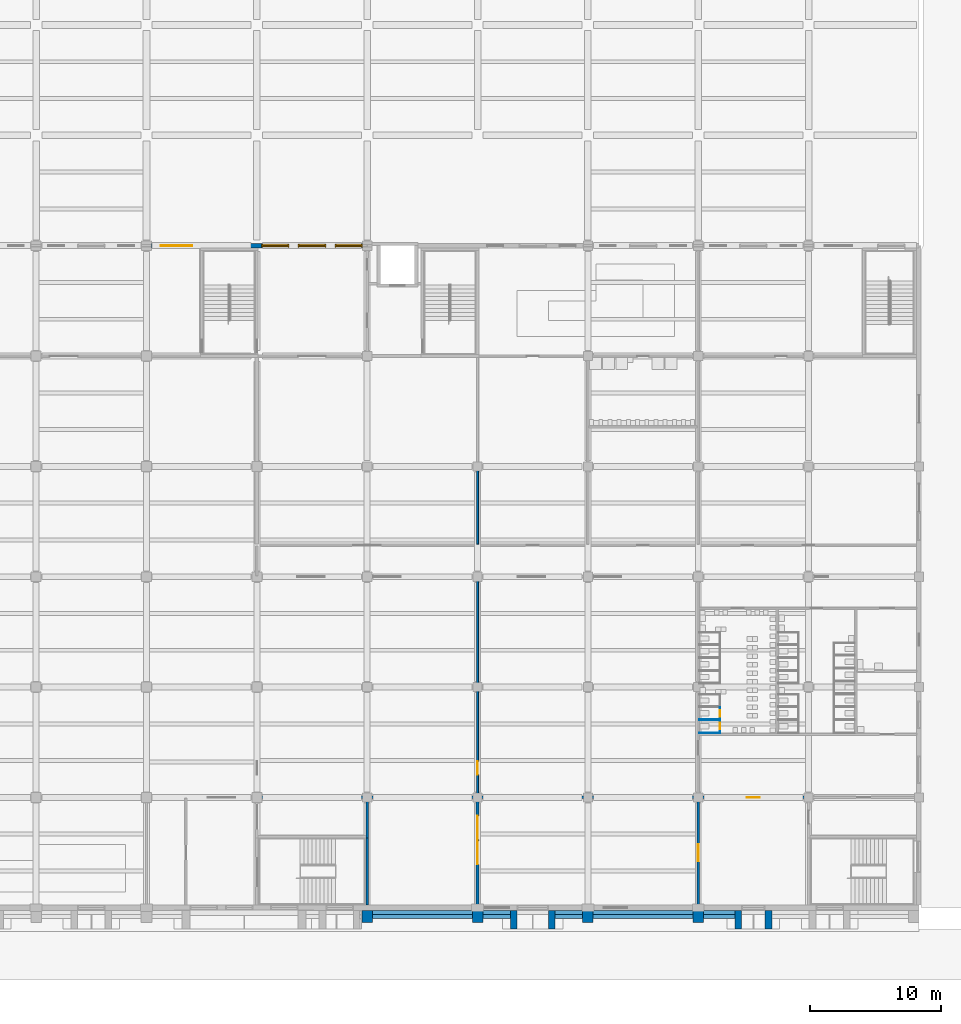
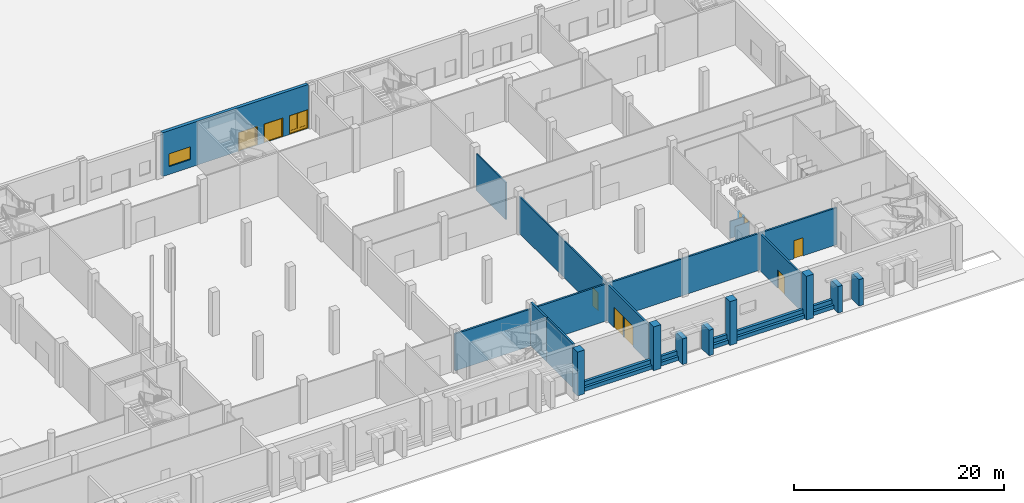
# One storey, part 33 of 74: 31 walls, 10 doors, 1 window, 11 openings.
"""IFC4 building model written with IfcOpenShell, lengths in metres."""

from ifc_helpers import new_model, si_unit, direction, frame, frame_2d, origin, place, context, subcontext, project, spatial, rectangle, extrude, material, layer, layer_set, type_object, element, fill, save


model = new_model("IFC4")

# Units and contexts
model_context = context("Model", 3, precision=1e-05, world=origin(), true_north=direction((0.0, 1.0)))
body_context = subcontext(model_context, "Body", "Model", "MODEL_VIEW")
ifc_project = project(units=[si_unit("LENGTHUNIT", "METRE"), si_unit("AREAUNIT", "SQUARE_METRE"), si_unit("VOLUMEUNIT", "CUBIC_METRE"), si_unit("PLANEANGLEUNIT", "RADIAN"), si_unit("MASSUNIT", "GRAM", prefix="KILO")], contexts=[model_context])

# Site, building, storey
site_placement = place(None, origin())
site = spatial("IfcSite", under=ifc_project, at=site_placement, CompositionType="ELEMENT")
building_placement = place(site_placement, origin())
building = spatial("IfcBuilding", under=site, at=building_placement, Name="Rulbaag Community and Learning Centre", CompositionType="ELEMENT")
storey_placement = place(building_placement, origin())
storey = spatial("IfcBuildingStorey", under=building, at=storey_placement, Name="L00", CompositionType="ELEMENT", Elevation=0.0)

# Walls
ifc_material_1 = material(Name="High pressure laminate", Category="wood")
ifc_layer_1 = layer(ifc_material_1, 0.0400390625)
ifc_layer_set_1 = layer_set([ifc_layer_1], Name="CP-40")
wall_type_1 = type_object("IfcWallType", Name="CP-40", PredefinedType="PARTITIONING", material=ifc_layer_set_1)
for number, where, z_axis, x_axis, name in (
    (1, (151.27490234375, 13.294921875, 0.0), (0.0, 0.0, 1.0), (1.0, 0.0, 0.0), "Cubicle partition"),
    (2, (151.27490234375, 14.2900390625, 0.0), (0.0, 0.0, 1.0), (1.0, 0.0, 0.0), "Cubicle partition"),
):
    element("IfcWall", number, at=place(storey_placement, frame(where, z_axis=z_axis, x_axis=x_axis)), inside=storey, type_object=wall_type_1, Name=name, PredefinedType="PARTITIONING", context=body_context, shape_type="SweptSolid", body=[
        extrude(rectangle(XDim=1.59521484375, YDim=0.0400390625, at=frame_2d((0.797607421875, 0.0))), origin(), (0.0, 0.0, 1.0), 2.0),
    ])

# Wall, opening, door
wall_1_placement = place(storey_placement, frame((152.85009765625, 13.31494140625, 0.0), z_axis=(0.0, 0.0, 1.0), x_axis=(0.0, 1.0, 0.0)))
wall_1 = element("IfcWall", 3, at=wall_1_placement, inside=storey, type_object=wall_type_1, Name="Cubicle partition", PredefinedType="PARTITIONING", context=body_context, shape_type="SweptSolid", body=[
    extrude(rectangle(XDim=0.955078125, YDim=0.0400390625, at=frame_2d((0.4775390625, 0.0))), origin(), (0.0, 0.0, 1.0), 2.0),
])
opening_1_placement = place(wall_1_placement, frame((0.10498046875, 0.0, 0.0)))
opening_1 = element("IfcOpeningElement", 4, at=opening_1_placement, cuts=wall_1, Name="Opening L00-D143", PredefinedType="OPENING", context=body_context, shape_type="SweptSolid", body=[
    extrude(rectangle(XDim=0.800048828125, YDim=2.0, at=frame_2d((0.39990234375, 1.0))), frame((0.0, 0.030029296875, 0.0), z_axis=(0.0, -1.0, 0.0), x_axis=(1.0, 0.0, 0.0)), (0.0, 0.0, 1.0), 0.06005859375),
])
door_type_1 = type_object("IfcDoorType", Name="DC-80", OperationType="SINGLE_SWING_LEFT", PredefinedType="DOOR", material=ifc_material_1)
door_1_placement = place(opening_1_placement, origin())
door_1 = element("IfcDoor", 5, at=door_1_placement, inside=storey, type_object=door_type_1, Name="Cubicle door", OperationType="SINGLE_SWING_LEFT", OverallHeight=2.0, OverallWidth=0.800048828125, PredefinedType="DOOR", context=body_context, shape_type="SweptSolid", body=[
    extrude(rectangle(XDim=0.800048828125, YDim=2.0, at=frame_2d((0.39990234375, 1.0))), frame((0.0, 0.019775390625, 0.0), z_axis=(0.0, -1.0, 0.0), x_axis=(1.0, 0.0, 0.0)), (0.0, 0.0, 1.0), 0.03955078125),
])
fill(opening_1, door_1)

# Wall
wall_2_placement = place(storey_placement, frame((151.27490234375, 14.330078125, 0.0), z_axis=(0.0, 0.0, 1.0), x_axis=(1.0, 0.0, 0.0)))
element("IfcWall", 6, at=wall_2_placement, inside=storey, type_object=wall_type_1, Name="Cubicle partition", PredefinedType="PARTITIONING", context=body_context, shape_type="SweptSolid", body=[
    extrude(rectangle(XDim=1.59521484375, YDim=0.0400390625, at=frame_2d((0.797607421875, 0.0))), origin(), (0.0, 0.0, 1.0), 2.0),
])

# Wall, opening, door
wall_3_placement = place(storey_placement, frame((152.85009765625, 14.35009765625, 0.0), z_axis=(0.0, 0.0, 1.0), x_axis=(0.0, 1.0, 0.0)))
wall_3 = element("IfcWall", 7, at=wall_3_placement, inside=storey, type_object=wall_type_1, Name="Cubicle partition", PredefinedType="PARTITIONING", context=body_context, shape_type="SweptSolid", body=[
    extrude(rectangle(XDim=0.89990234375, YDim=0.0400390625, at=frame_2d((0.449951171875, 0.0))), origin(), (0.0, 0.0, 1.0), 2.0),
])
opening_2_placement = place(wall_3_placement, frame((0.050048828125, 0.0, 0.0)))
opening_2 = element("IfcOpeningElement", 8, at=opening_2_placement, cuts=wall_3, Name="Opening L00-D144", PredefinedType="OPENING", context=body_context, shape_type="SweptSolid", body=[
    extrude(rectangle(XDim=0.800048828125, YDim=2.0, at=frame_2d((0.39990234375, 1.0))), frame((0.0, 0.030029296875, 0.0), z_axis=(0.0, -1.0, 0.0), x_axis=(1.0, 0.0, 0.0)), (0.0, 0.0, 1.0), 0.06005859375),
])
door_2_placement = place(opening_2_placement, origin())
door_2 = element("IfcDoor", 9, at=door_2_placement, inside=storey, type_object=door_type_1, Name="Cubicle door", OperationType="SINGLE_SWING_LEFT", OverallHeight=2.0, OverallWidth=0.800048828125, PredefinedType="DOOR", context=body_context, shape_type="SweptSolid", body=[
    extrude(rectangle(XDim=0.800048828125, YDim=2.0, at=frame_2d((0.39990234375, 1.0))), frame((0.0, 0.019775390625, 0.0), z_axis=(0.0, -1.0, 0.0), x_axis=(1.0, 0.0, 0.0)), (0.0, 0.0, 1.0), 0.03955078125),
])
fill(opening_2, door_2)

# Walls
ifc_material_2 = material(Name="Concrete M40", Category="concrete")
ifc_layer_2 = layer(ifc_material_2, 0.800048828125)
ifc_layer_set_2 = layer_set([ifc_layer_2], Name="EW-BTR")
wall_type_2 = type_object("IfcWallType", Name="EW-BTR", PredefinedType="SOLIDWALL", material=ifc_layer_set_2)
for number, where, z_axis, x_axis, name in (
    (10, (126.0, -0.22509765625, 0.0), (0.0, 0.0, 1.0), (0.0, -1.0, 0.0), "Buttress pier"),
    (11, (134.39990234375, -0.22509765625, 0.0), (0.0, 0.0, 1.0), (0.0, -1.0, 0.0), "Buttress pier"),
    (12, (142.800048828125, -0.22509765625, 0.0), (0.0, 0.0, 1.0), (0.0, -1.0, 0.0), "Buttress pier"),
    (13, (151.199951171875, -0.22509765625, 0.0), (0.0, 0.0, 1.0), (0.0, -1.0, 0.0), "Buttress pier"),
):
    element("IfcWall", number, at=place(storey_placement, frame(where, z_axis=z_axis, x_axis=x_axis)), inside=storey, type_object=wall_type_2, Name=name, PredefinedType="SOLIDWALL", context=body_context, shape_type="SweptSolid", body=[
        extrude(rectangle(XDim=0.89990234375, YDim=0.800048828125, at=frame_2d((0.449951171875, 0.0))), origin(), (0.0, 0.0, 1.0), 5.10009765625),
    ])

# Wall, openings, doors, window
ifc_layer_3 = layer(ifc_material_2, 0.35009765625)
ifc_layer_set_3 = layer_set([ifc_layer_3], Name="EW-CONC350")
wall_type_3 = type_object("IfcWallType", Name="EW-CONC350", PredefinedType="STANDARD", material=ifc_layer_set_3)
wall_4_placement = place(storey_placement, frame((109.574951171875, 50.39990234375, 0.0), z_axis=(0.0, 0.0, 1.0), x_axis=(1.0, 0.0, 0.0)))
wall_4 = element("IfcWall", 14, at=wall_4_placement, inside=storey, type_object=wall_type_3, Name="Board-marked concrete cladding wall AN", PredefinedType="STANDARD", context=body_context, shape_type="SweptSolid", body=[
    extrude(rectangle(XDim=16.074951171875, YDim=0.35009765625, at=frame_2d((8.03759765625, 0.0))), origin(), (0.0, 0.0, 1.0), 5.10009765625),
])
opening_3_placement = place(wall_4_placement, frame((8.375, 0.0, 0.0)))
opening_3 = element("IfcOpeningElement", 15, at=opening_3_placement, cuts=wall_4, Name="Opening L00-D105", PredefinedType="OPENING", context=body_context, shape_type="SweptSolid", body=[
    extrude(rectangle(XDim=2.10009765625, YDim=2.199951171875, at=frame_2d((1.050048828125, 1.10009765625))), frame((0.0, 0.18505859375, 0.0), z_axis=(0.0, -1.0, 0.0), x_axis=(1.0, 0.0, 0.0)), (0.0, 0.0, 1.0), 0.3701171875),
])
opening_4_placement = place(wall_4_placement, frame((11.175048828125, 0.0, 0.0)))
opening_4 = element("IfcOpeningElement", 16, at=opening_4_placement, cuts=wall_4, Name="Opening L00-D109", PredefinedType="OPENING", context=body_context, shape_type="SweptSolid", body=[
    extrude(rectangle(XDim=2.10009765625, YDim=2.199951171875, at=frame_2d((1.050048828125, 1.10009765625))), frame((0.0, 0.18505859375, 0.0), z_axis=(0.0, -1.0, 0.0), x_axis=(1.0, 0.0, 0.0)), (0.0, 0.0, 1.0), 0.3701171875),
])
opening_5_placement = place(wall_4_placement, frame((13.969970703125, 0.0, 0.0)))
opening_5 = element("IfcOpeningElement", 17, at=opening_5_placement, cuts=wall_4, Name="Opening L00-D111", PredefinedType="OPENING", context=body_context, shape_type="SweptSolid", body=[
    extrude(rectangle(XDim=2.10009765625, YDim=2.199951171875, at=frame_2d((1.050048828125, 1.10009765625))), frame((0.0, 0.18505859375, 0.0), z_axis=(0.0, -1.0, 0.0), x_axis=(1.0, 0.0, 0.0)), (0.0, 0.0, 1.0), 0.3701171875),
])
opening_6_placement = place(wall_4_placement, frame((0.71240234375, 0.0, 0.89990234375)))
opening_6 = element("IfcOpeningElement", 18, at=opening_6_placement, cuts=wall_4, Name="Opening WN17", PredefinedType="OPENING", context=body_context, shape_type="SweptSolid", body=[
    extrude(rectangle(XDim=2.39990234375, YDim=1.5, at=frame_2d((1.199951171875, 0.75))), frame((0.0, 0.18505859375, 0.0), z_axis=(0.0, -1.0, 0.0), x_axis=(1.0, 0.0, 0.0)), (0.0, 0.0, 1.0), 0.3701171875),
])
ifc_material_3 = material(Name="Aluminium", Category="aluminium")
door_type_2 = type_object("IfcDoorType", Name="DG-21", OperationType="DOUBLE_DOOR_SINGLE_SWING", PredefinedType="DOOR", material=ifc_material_3)
door_3_placement = place(opening_3_placement, origin())
door_3 = element("IfcDoor", 19, at=door_3_placement, inside=storey, type_object=door_type_2, Name="Final exit G13", OperationType="SINGLE_SWING_LEFT", OverallHeight=2.199951171875, OverallWidth=2.10009765625, PredefinedType="DOOR", context=body_context, shape_type="SweptSolid", body=[
    extrude(rectangle(XDim=2.10009765625, YDim=0.012939453125, at=frame_2d((1.050048828125, 0.006591796875))), frame((0.0, 0.114990234375, 0.0), z_axis=(0.0, -1.0, 0.0), x_axis=(1.0, 0.0, 0.0)), (0.0, 0.0, 1.0), 0.22998046875),
    extrude(rectangle(XDim=0.074951171875, YDim=2.112060546875, at=frame_2d((0.03759765625, 1.069091796875))), frame((0.0, 0.125, 0.0), z_axis=(0.0, -1.0, 0.0), x_axis=(1.0, 0.0, 0.0)), (0.0, 0.0, 1.0), 0.25),
    extrude(rectangle(XDim=0.074951171875, YDim=2.112060546875, at=frame_2d((2.0625, 1.069091796875))), frame((0.0, 0.125, 0.0), z_axis=(0.0, -1.0, 0.0), x_axis=(1.0, 0.0, 0.0)), (0.0, 0.0, 1.0), 0.25),
    extrude(rectangle(XDim=2.10009765625, YDim=0.074951171875, at=frame_2d((1.050048828125, 2.16259765625))), frame((0.0, 0.114990234375, 0.0), z_axis=(0.0, -1.0, 0.0), x_axis=(1.0, 0.0, 0.0)), (0.0, 0.0, 1.0), 0.22998046875),
    extrude(rectangle(XDim=1.9501953125, YDim=0.300048828125, at=frame_2d((1.050048828125, 0.1630859375))), frame((0.0, 0.02001953125, 0.0), z_axis=(0.0, -1.0, 0.0), x_axis=(1.0, 0.0, 0.0)), (0.0, 0.0, 1.0), 0.0400390625),
    extrude(rectangle(XDim=1.9501953125, YDim=0.1201171875, at=frame_2d((1.050048828125, 2.06494140625))), frame((0.0, 0.02001953125, 0.0), z_axis=(0.0, -1.0, 0.0), x_axis=(1.0, 0.0, 0.0)), (0.0, 0.0, 1.0), 0.0400390625),
    extrude(rectangle(XDim=0.090087890625, YDim=1.69189453125, at=frame_2d((0.119873046875, 1.158935546875))), frame((0.0, 0.02490234375, 0.0), z_axis=(0.0, -1.0, 0.0), x_axis=(1.0, 0.0, 0.0)), (0.0, 0.0, 1.0), 0.050048828125),
    extrude(rectangle(XDim=0.179931640625, YDim=1.69189453125, at=frame_2d((1.050048828125, 1.158935546875))), frame((0.0, 0.02490234375, 0.0), z_axis=(0.0, -1.0, 0.0), x_axis=(1.0, 0.0, 0.0)), (0.0, 0.0, 1.0), 0.050048828125),
    extrude(rectangle(XDim=0.090087890625, YDim=1.69189453125, at=frame_2d((1.980224609375, 1.158935546875))), frame((0.0, 0.02490234375, 0.0), z_axis=(0.0, -1.0, 0.0), x_axis=(1.0, 0.0, 0.0)), (0.0, 0.0, 1.0), 0.050048828125),
    extrude(rectangle(XDim=0.795166015625, YDim=1.69189453125, at=frame_2d((0.5625, 1.158935546875))), frame((0.0, 0.011962890625, 0.0), z_axis=(0.0, -1.0, 0.0), x_axis=(1.0, 0.0, 0.0)), (0.0, 0.0, 1.0), 0.02392578125),
    extrude(rectangle(XDim=0.795166015625, YDim=1.69189453125, at=frame_2d((1.53759765625, 1.158935546875))), frame((0.0, 0.011962890625, 0.0), z_axis=(0.0, -1.0, 0.0), x_axis=(1.0, 0.0, 0.0)), (0.0, 0.0, 1.0), 0.02392578125),
])
fill(opening_3, door_3)
door_4_placement = place(opening_4_placement, origin())
door_4 = element("IfcDoor", 20, at=door_4_placement, inside=storey, type_object=door_type_2, Name="Final exit G14", OperationType="SINGLE_SWING_LEFT", OverallHeight=2.199951171875, OverallWidth=2.10009765625, PredefinedType="DOOR", context=body_context, shape_type="SweptSolid", body=[
    extrude(rectangle(XDim=2.10009765625, YDim=0.012939453125, at=frame_2d((1.050048828125, 0.006591796875))), frame((0.0, 0.114990234375, 0.0), z_axis=(0.0, -1.0, 0.0), x_axis=(1.0, 0.0, 0.0)), (0.0, 0.0, 1.0), 0.22998046875),
    extrude(rectangle(XDim=0.074951171875, YDim=2.112060546875, at=frame_2d((0.03759765625, 1.069091796875))), frame((0.0, 0.125, 0.0), z_axis=(0.0, -1.0, 0.0), x_axis=(1.0, 0.0, 0.0)), (0.0, 0.0, 1.0), 0.25),
    extrude(rectangle(XDim=0.074951171875, YDim=2.112060546875, at=frame_2d((2.0625, 1.069091796875))), frame((0.0, 0.125, 0.0), z_axis=(0.0, -1.0, 0.0), x_axis=(1.0, 0.0, 0.0)), (0.0, 0.0, 1.0), 0.25),
    extrude(rectangle(XDim=2.10009765625, YDim=0.074951171875, at=frame_2d((1.050048828125, 2.16259765625))), frame((0.0, 0.114990234375, 0.0), z_axis=(0.0, -1.0, 0.0), x_axis=(1.0, 0.0, 0.0)), (0.0, 0.0, 1.0), 0.22998046875),
    extrude(rectangle(XDim=1.9501953125, YDim=0.300048828125, at=frame_2d((1.050048828125, 0.1630859375))), frame((0.0, 0.02001953125, 0.0), z_axis=(0.0, -1.0, 0.0), x_axis=(1.0, 0.0, 0.0)), (0.0, 0.0, 1.0), 0.0400390625),
    extrude(rectangle(XDim=1.9501953125, YDim=0.1201171875, at=frame_2d((1.050048828125, 2.06494140625))), frame((0.0, 0.02001953125, 0.0), z_axis=(0.0, -1.0, 0.0), x_axis=(1.0, 0.0, 0.0)), (0.0, 0.0, 1.0), 0.0400390625),
    extrude(rectangle(XDim=0.090087890625, YDim=1.69189453125, at=frame_2d((0.119873046875, 1.158935546875))), frame((0.0, 0.02490234375, 0.0), z_axis=(0.0, -1.0, 0.0), x_axis=(1.0, 0.0, 0.0)), (0.0, 0.0, 1.0), 0.050048828125),
    extrude(rectangle(XDim=0.179931640625, YDim=1.69189453125, at=frame_2d((1.050048828125, 1.158935546875))), frame((0.0, 0.02490234375, 0.0), z_axis=(0.0, -1.0, 0.0), x_axis=(1.0, 0.0, 0.0)), (0.0, 0.0, 1.0), 0.050048828125),
    extrude(rectangle(XDim=0.090087890625, YDim=1.69189453125, at=frame_2d((1.980224609375, 1.158935546875))), frame((0.0, 0.02490234375, 0.0), z_axis=(0.0, -1.0, 0.0), x_axis=(1.0, 0.0, 0.0)), (0.0, 0.0, 1.0), 0.050048828125),
    extrude(rectangle(XDim=0.795166015625, YDim=1.69189453125, at=frame_2d((0.5625, 1.158935546875))), frame((0.0, 0.011962890625, 0.0), z_axis=(0.0, -1.0, 0.0), x_axis=(1.0, 0.0, 0.0)), (0.0, 0.0, 1.0), 0.02392578125),
    extrude(rectangle(XDim=0.795166015625, YDim=1.69189453125, at=frame_2d((1.53759765625, 1.158935546875))), frame((0.0, 0.011962890625, 0.0), z_axis=(0.0, -1.0, 0.0), x_axis=(1.0, 0.0, 0.0)), (0.0, 0.0, 1.0), 0.02392578125),
])
fill(opening_4, door_4)
door_5_placement = place(opening_5_placement, origin())
door_5 = element("IfcDoor", 21, at=door_5_placement, inside=storey, type_object=door_type_2, Name="Final exit G15", OperationType="SINGLE_SWING_LEFT", OverallHeight=2.199951171875, OverallWidth=2.10009765625, PredefinedType="DOOR", context=body_context, shape_type="SweptSolid", body=[
    extrude(rectangle(XDim=2.10009765625, YDim=0.012939453125, at=frame_2d((1.050048828125, 0.006591796875))), frame((0.0, 0.114990234375, 0.0), z_axis=(0.0, -1.0, 0.0), x_axis=(1.0, 0.0, 0.0)), (0.0, 0.0, 1.0), 0.22998046875),
    extrude(rectangle(XDim=0.074951171875, YDim=2.112060546875, at=frame_2d((0.03759765625, 1.069091796875))), frame((0.0, 0.125, 0.0), z_axis=(0.0, -1.0, 0.0), x_axis=(1.0, 0.0, 0.0)), (0.0, 0.0, 1.0), 0.25),
    extrude(rectangle(XDim=0.074951171875, YDim=2.112060546875, at=frame_2d((2.0625, 1.069091796875))), frame((0.0, 0.125, 0.0), z_axis=(0.0, -1.0, 0.0), x_axis=(1.0, 0.0, 0.0)), (0.0, 0.0, 1.0), 0.25),
    extrude(rectangle(XDim=2.10009765625, YDim=0.074951171875, at=frame_2d((1.050048828125, 2.16259765625))), frame((0.0, 0.114990234375, 0.0), z_axis=(0.0, -1.0, 0.0), x_axis=(1.0, 0.0, 0.0)), (0.0, 0.0, 1.0), 0.22998046875),
    extrude(rectangle(XDim=1.9501953125, YDim=0.300048828125, at=frame_2d((1.050048828125, 0.1630859375))), frame((0.0, 0.02001953125, 0.0), z_axis=(0.0, -1.0, 0.0), x_axis=(1.0, 0.0, 0.0)), (0.0, 0.0, 1.0), 0.0400390625),
    extrude(rectangle(XDim=1.9501953125, YDim=0.1201171875, at=frame_2d((1.050048828125, 2.06494140625))), frame((0.0, 0.02001953125, 0.0), z_axis=(0.0, -1.0, 0.0), x_axis=(1.0, 0.0, 0.0)), (0.0, 0.0, 1.0), 0.0400390625),
    extrude(rectangle(XDim=0.090087890625, YDim=1.69189453125, at=frame_2d((0.119873046875, 1.158935546875))), frame((0.0, 0.02490234375, 0.0), z_axis=(0.0, -1.0, 0.0), x_axis=(1.0, 0.0, 0.0)), (0.0, 0.0, 1.0), 0.050048828125),
    extrude(rectangle(XDim=0.179931640625, YDim=1.69189453125, at=frame_2d((1.050048828125, 1.158935546875))), frame((0.0, 0.02490234375, 0.0), z_axis=(0.0, -1.0, 0.0), x_axis=(1.0, 0.0, 0.0)), (0.0, 0.0, 1.0), 0.050048828125),
    extrude(rectangle(XDim=0.090087890625, YDim=1.69189453125, at=frame_2d((1.980224609375, 1.158935546875))), frame((0.0, 0.02490234375, 0.0), z_axis=(0.0, -1.0, 0.0), x_axis=(1.0, 0.0, 0.0)), (0.0, 0.0, 1.0), 0.050048828125),
    extrude(rectangle(XDim=0.795166015625, YDim=1.69189453125, at=frame_2d((0.5625, 1.158935546875))), frame((0.0, 0.011962890625, 0.0), z_axis=(0.0, -1.0, 0.0), x_axis=(1.0, 0.0, 0.0)), (0.0, 0.0, 1.0), 0.02392578125),
    extrude(rectangle(XDim=0.795166015625, YDim=1.69189453125, at=frame_2d((1.53759765625, 1.158935546875))), frame((0.0, 0.011962890625, 0.0), z_axis=(0.0, -1.0, 0.0), x_axis=(1.0, 0.0, 0.0)), (0.0, 0.0, 1.0), 0.02392578125),
])
fill(opening_5, door_5)
window_type = type_object("IfcWindowType", Name="WN-24", PartitioningType="DOUBLE_PANEL_VERTICAL", PredefinedType="WINDOW", material=ifc_material_3)
window_placement = place(opening_6_placement, origin())
window = element("IfcWindow", 22, at=window_placement, inside=storey, type_object=window_type, Name="Window WN17", OverallHeight=1.5, OverallWidth=2.39990234375, PartitioningType="SINGLE_PANEL", PredefinedType="WINDOW", context=body_context, shape_type="SweptSolid", body=[
    extrude(rectangle(XDim=2.39990234375, YDim=1.5, at=frame_2d((1.199951171875, 0.75))), frame((0.0, 0.030029296875, 0.0), z_axis=(0.0, -1.0, 0.0), x_axis=(1.0, 0.0, 0.0)), (0.0, 0.0, 1.0), 0.06005859375),
])
fill(opening_6, window)

# Walls
ifc_layer_4 = layer(ifc_material_2, 0.5)
ifc_layer_set_4 = layer_set([ifc_layer_4], Name="EW-PJB5")
wall_type_4 = type_object("IfcWallType", Name="EW-PJB5", PredefinedType="SOLIDWALL", material=ifc_layer_set_4)
for number, where, z_axis, x_axis, name in (
    (23, (137.14990234375, -0.22509765625, 0.0), (0.0, 0.0, 1.0), (0.0, -1.0, 0.0), "Portal jamb"),
    (24, (140.050048828125, -0.22509765625, 0.0), (0.0, 0.0, 1.0), (0.0, -1.0, 0.0), "Portal jamb"),
):
    element("IfcWall", number, at=place(storey_placement, frame(where, z_axis=z_axis, x_axis=x_axis)), inside=storey, type_object=wall_type_4, Name=name, PredefinedType="SOLIDWALL", context=body_context, shape_type="SweptSolid", body=[
        extrude(rectangle(XDim=1.39990234375, YDim=0.5, at=frame_2d((0.699951171875, 0.0))), origin(), (0.0, 0.0, 1.0), 2.97998046875),
    ])
for number, where, z_axis, x_axis, name in (
    (25, (154.25, -0.22509765625, 0.0), (0.0, 0.0, 1.0), (0.0, -1.0, 0.0), "Portal jamb"),
    (26, (156.550048828125, -0.22509765625, 0.0), (0.0, 0.0, 1.0), (0.0, -1.0, 0.0), "Portal jamb"),
):
    element("IfcWall", number, at=place(storey_placement, frame(where, z_axis=z_axis, x_axis=x_axis)), inside=storey, type_object=wall_type_4, Name=name, PredefinedType="SOLIDWALL", context=body_context, shape_type="SweptSolid", body=[
        extrude(rectangle(XDim=1.39990234375, YDim=0.5, at=frame_2d((0.699951171875, 0.0))), origin(), (0.0, 0.0, 1.0), 3.080078125),
    ])
ifc_layer_5 = layer(ifc_material_2, 0.60009765625)
ifc_layer_set_5 = layer_set([ifc_layer_5], Name="EW-PLN1")
wall_type_5 = type_object("IfcWallType", Name="EW-PLN1", PredefinedType="SOLIDWALL", material=ifc_layer_set_5)
wall_5_placement = place(storey_placement, frame((126.39990234375, -0.52490234375, 0.0), z_axis=(0.0, 0.0, 1.0), x_axis=(1.0, 0.0, 0.0)))
element("IfcWall", 27, at=wall_5_placement, inside=storey, type_object=wall_type_5, Name="Battered plinth", PredefinedType="SOLIDWALL", context=body_context, shape_type="SweptSolid", body=[
    extrude(rectangle(XDim=7.60009765625, YDim=0.60009765625, at=frame_2d((3.800048828125, 0.0))), origin(), (0.0, 0.0, 1.0), 0.449951171875),
])
for number, where, z_axis, x_axis, name in (
    (28, (134.800048828125, -0.52490234375, 0.0), (0.0, 0.0, 1.0), (1.0, 0.0, 0.0), "Battered plinth"),
    (29, (140.300048828125, -0.52490234375, 0.0), (0.0, 0.0, 1.0), (1.0, 0.0, 0.0), "Battered plinth"),
):
    element("IfcWall", number, at=place(storey_placement, frame(where, z_axis=z_axis, x_axis=x_axis)), inside=storey, type_object=wall_type_5, Name=name, PredefinedType="SOLIDWALL", context=body_context, shape_type="SweptSolid", body=[
        extrude(rectangle(XDim=2.099853515625, YDim=0.60009765625, at=frame_2d((1.0498046875, 0.0))), origin(), (0.0, 0.0, 1.0), 0.449951171875),
    ])
wall_6_placement = place(storey_placement, frame((143.199951171875, -0.52490234375, 0.0), z_axis=(0.0, 0.0, 1.0), x_axis=(1.0, 0.0, 0.0)))
element("IfcWall", 30, at=wall_6_placement, inside=storey, type_object=wall_type_5, Name="Battered plinth", PredefinedType="SOLIDWALL", context=body_context, shape_type="SweptSolid", body=[
    extrude(rectangle(XDim=7.60009765625, YDim=0.60009765625, at=frame_2d((3.800048828125, 0.0))), origin(), (0.0, 0.0, 1.0), 0.449951171875),
])
wall_7_placement = place(storey_placement, frame((151.60009765625, -0.52490234375, 0.0), z_axis=(0.0, 0.0, 1.0), x_axis=(1.0, 0.0, 0.0)))
element("IfcWall", 31, at=wall_7_placement, inside=storey, type_object=wall_type_5, Name="Battered plinth", PredefinedType="SOLIDWALL", context=body_context, shape_type="SweptSolid", body=[
    extrude(rectangle(XDim=2.39990234375, YDim=0.60009765625, at=frame_2d((1.199951171875, 0.0))), origin(), (0.0, 0.0, 1.0), 0.449951171875),
])
ifc_layer_6 = layer(ifc_material_2, 0.300048828125)
ifc_layer_set_6 = layer_set([ifc_layer_6], Name="EW-PLN2")
wall_type_6 = type_object("IfcWallType", Name="EW-PLN2", PredefinedType="SOLIDWALL", material=ifc_layer_set_6)
wall_8_placement = place(storey_placement, frame((126.39990234375, -0.375, 0.449951171875), z_axis=(0.0, 0.0, 1.0), x_axis=(1.0, 0.0, 0.0)))
element("IfcWall", 32, at=wall_8_placement, inside=storey, type_object=wall_type_6, Name="Battered plinth", PredefinedType="SOLIDWALL", context=body_context, shape_type="SweptSolid", body=[
    extrude(rectangle(XDim=7.60009765625, YDim=0.300048828125, at=frame_2d((3.800048828125, 0.0))), origin(), (0.0, 0.0, 1.0), 0.449951171875),
])
for number, where, z_axis, x_axis, name in (
    (33, (134.800048828125, -0.375, 0.449951171875), (0.0, 0.0, 1.0), (1.0, 0.0, 0.0), "Battered plinth"),
    (34, (140.300048828125, -0.375, 0.449951171875), (0.0, 0.0, 1.0), (1.0, 0.0, 0.0), "Battered plinth"),
):
    element("IfcWall", number, at=place(storey_placement, frame(where, z_axis=z_axis, x_axis=x_axis)), inside=storey, type_object=wall_type_6, Name=name, PredefinedType="SOLIDWALL", context=body_context, shape_type="SweptSolid", body=[
        extrude(rectangle(XDim=2.099853515625, YDim=0.300048828125, at=frame_2d((1.0498046875, 0.0))), origin(), (0.0, 0.0, 1.0), 0.449951171875),
    ])
wall_9_placement = place(storey_placement, frame((143.199951171875, -0.375, 0.449951171875), z_axis=(0.0, 0.0, 1.0), x_axis=(1.0, 0.0, 0.0)))
element("IfcWall", 35, at=wall_9_placement, inside=storey, type_object=wall_type_6, Name="Battered plinth", PredefinedType="SOLIDWALL", context=body_context, shape_type="SweptSolid", body=[
    extrude(rectangle(XDim=7.60009765625, YDim=0.300048828125, at=frame_2d((3.800048828125, 0.0))), origin(), (0.0, 0.0, 1.0), 0.449951171875),
])
wall_10_placement = place(storey_placement, frame((151.60009765625, -0.375, 0.449951171875), z_axis=(0.0, 0.0, 1.0), x_axis=(1.0, 0.0, 0.0)))
element("IfcWall", 36, at=wall_10_placement, inside=storey, type_object=wall_type_6, Name="Battered plinth", PredefinedType="SOLIDWALL", context=body_context, shape_type="SweptSolid", body=[
    extrude(rectangle(XDim=2.39990234375, YDim=0.300048828125, at=frame_2d((1.199951171875, 0.0))), origin(), (0.0, 0.0, 1.0), 0.449951171875),
])

# Wall, opening, door
ifc_material_4 = material(Name="Concrete blockwork", Category="masonry")
ifc_layer_7 = layer(ifc_material_4, 0.199951171875)
ifc_layer_set_7 = layer_set([ifc_layer_7], Name="FW-200 FIRE WALL 200")
wall_type_7 = type_object("IfcWallType", Name="FW-200 FIRE WALL 200", PredefinedType="SOLIDWALL", material=ifc_layer_set_7)
wall_11_placement = place(storey_placement, frame((117.60009765625, 8.39990234375, 0.0), z_axis=(0.0, 0.0, 1.0), x_axis=(1.0, 0.0, 0.0)))
wall_11 = element("IfcWall", 37, at=wall_11_placement, inside=storey, type_object=wall_type_7, Name="Fire wall L00 7", PredefinedType="SOLIDWALL", context=body_context, shape_type="SweptSolid", body=[
    extrude(rectangle(XDim=42.0, YDim=0.199951171875, at=frame_2d((21.0, 0.0))), origin(), (0.0, 0.0, 1.0), 4.300048828125),
])
opening_7_placement = place(wall_11_placement, frame((37.300048828125, 0.0, 0.0)))
opening_7 = element("IfcOpeningElement", 38, at=opening_7_placement, cuts=wall_11, Name="Opening L00-D156", PredefinedType="OPENING", context=body_context, shape_type="SweptSolid", body=[
    extrude(rectangle(XDim=1.0, YDim=2.10009765625, at=frame_2d((0.5, 1.050048828125))), frame((0.0, 0.10986328125, 0.0), z_axis=(0.0, -1.0, 0.0), x_axis=(1.0, 0.0, 0.0)), (0.0, 0.0, 1.0), 0.219970703125),
])
ifc_material_5 = material(Name="Galvanised steel", Category="steel")
door_type_3 = type_object("IfcDoorType", Name="FD-1000 FIRE DOOR 1000 x 2100", OperationType="SINGLE_SWING_LEFT", PredefinedType="DOOR", material=ifc_material_5)
door_6_placement = place(opening_7_placement, origin())
door_6 = element("IfcDoor", 39, at=door_6_placement, inside=storey, type_object=door_type_3, Name="Door L00-D156", OperationType="SINGLE_SWING_RIGHT", OverallHeight=2.10009765625, OverallWidth=1.0, PredefinedType="DOOR", context=body_context, shape_type="SweptSolid", body=[
    extrude(rectangle(XDim=1.0, YDim=2.10009765625, at=frame_2d((0.5, 1.050048828125))), frame((0.0, 0.02490234375, 0.0), z_axis=(0.0, -1.0, 0.0), x_axis=(1.0, 0.0, 0.0)), (0.0, 0.0, 1.0), 0.050048828125),
])
fill(opening_7, door_6)

# Wall
wall_12_placement = place(storey_placement, frame((126.0, 5.300048828125, 0.0), z_axis=(0.0, 0.0, 1.0), x_axis=(0.0, 1.0, 0.0)))
element("IfcWall", 40, at=wall_12_placement, inside=storey, type_object=wall_type_7, Name="Fire wall L00 91", PredefinedType="SOLIDWALL", context=body_context, shape_type="SweptSolid", body=[
    extrude(rectangle(XDim=3.0, YDim=0.199951171875, at=frame_2d((1.5, 0.0))), origin(), (0.0, 0.0, 1.0), 5.10009765625),
])

# Wall, openings, doors
wall_13_placement = place(storey_placement, frame((134.39990234375, 0.22509765625, 0.0), z_axis=(0.0, 0.0, 1.0), x_axis=(0.0, 1.0, 0.0)))
wall_13 = element("IfcWall", 41, at=wall_13_placement, inside=storey, type_object=wall_type_7, Name="Fire wall L00 94", PredefinedType="SOLIDWALL", context=body_context, shape_type="SweptSolid", body=[
    extrude(rectangle(XDim=8.074951171875, YDim=0.199951171875, at=frame_2d((4.03759765625, 0.0))), origin(), (0.0, 0.0, 1.0), 4.300048828125),
])
opening_8_placement = place(wall_13_placement, frame((3.074951171875, 0.0, 0.0)))
opening_8 = element("IfcOpeningElement", 42, at=opening_8_placement, cuts=wall_13, Name="Opening L00-D118", PredefinedType="OPENING", context=body_context, shape_type="SweptSolid", body=[
    extrude(rectangle(XDim=1.800048828125, YDim=2.39990234375, at=frame_2d((0.89990234375, 1.199951171875))), frame((0.0, 0.10986328125, 0.0), z_axis=(0.0, -1.0, 0.0), x_axis=(1.0, 0.0, 0.0)), (0.0, 0.0, 1.0), 0.219970703125),
])
opening_9_placement = place(wall_13_placement, frame((4.97509765625, 0.0, 0.0)))
opening_9 = element("IfcOpeningElement", 43, at=opening_9_placement, cuts=wall_13, Name="Opening L00-D119", PredefinedType="OPENING", context=body_context, shape_type="SweptSolid", body=[
    extrude(rectangle(XDim=1.800048828125, YDim=2.39990234375, at=frame_2d((0.89990234375, 1.199951171875))), frame((0.0, 0.10986328125, 0.0), z_axis=(0.0, -1.0, 0.0), x_axis=(1.0, 0.0, 0.0)), (0.0, 0.0, 1.0), 0.219970703125),
])
ifc_material_6 = material(Name="Timber", Category="wood")
door_type_4 = type_object("IfcDoorType", Name="D-1800 GENERATOR AND SWITCHGEAR ROOM DOOR 1800 x 2400", OperationType="DOUBLE_DOOR_SINGLE_SWING", PredefinedType="DOOR", material=ifc_material_6)
door_7_placement = place(opening_8_placement, origin())
door_7 = element("IfcDoor", 44, at=door_7_placement, inside=storey, type_object=door_type_4, Name="Door L00-D118", OperationType="DOUBLE_DOOR_SINGLE_SWING", OverallHeight=2.39990234375, OverallWidth=1.800048828125, PredefinedType="DOOR", context=body_context, shape_type="SweptSolid", body=[
    extrude(rectangle(XDim=1.800048828125, YDim=2.39990234375, at=frame_2d((0.89990234375, 1.199951171875))), frame((0.0, 0.02490234375, 0.0), z_axis=(0.0, -1.0, 0.0), x_axis=(1.0, 0.0, 0.0)), (0.0, 0.0, 1.0), 0.050048828125),
])
fill(opening_8, door_7)
door_8_placement = place(opening_9_placement, origin())
door_8 = element("IfcDoor", 45, at=door_8_placement, inside=storey, type_object=door_type_4, Name="Door L00-D119", OperationType="DOUBLE_DOOR_SINGLE_SWING", OverallHeight=2.39990234375, OverallWidth=1.800048828125, PredefinedType="DOOR", context=body_context, shape_type="SweptSolid", body=[
    extrude(rectangle(XDim=1.800048828125, YDim=2.39990234375, at=frame_2d((0.89990234375, 1.199951171875))), frame((0.0, 0.02490234375, 0.0), z_axis=(0.0, -1.0, 0.0), x_axis=(1.0, 0.0, 0.0)), (0.0, 0.0, 1.0), 0.050048828125),
])
fill(opening_9, door_8)

# Wall, opening, door
wall_14_placement = place(storey_placement, frame((151.199951171875, 0.22509765625, 0.0), z_axis=(0.0, 0.0, 1.0), x_axis=(0.0, 1.0, 0.0)))
wall_14 = element("IfcWall", 46, at=wall_14_placement, inside=storey, type_object=wall_type_7, Name="Fire wall L00 102", PredefinedType="SOLIDWALL", context=body_context, shape_type="SweptSolid", body=[
    extrude(rectangle(XDim=8.074951171875, YDim=0.199951171875, at=frame_2d((4.03759765625, 0.0))), origin(), (0.0, 0.0, 1.0), 4.300048828125),
])
opening_10_placement = place(wall_14_placement, frame((3.324951171875, 0.0, 0.0)))
opening_10 = element("IfcOpeningElement", 47, at=opening_10_placement, cuts=wall_14, Name="Opening L00-D141", PredefinedType="OPENING", context=body_context, shape_type="SweptSolid", body=[
    extrude(rectangle(XDim=1.300048828125, YDim=2.10009765625, at=frame_2d((0.64990234375, 1.050048828125))), frame((0.0, 0.10986328125, 0.0), z_axis=(0.0, -1.0, 0.0), x_axis=(1.0, 0.0, 0.0)), (0.0, 0.0, 1.0), 0.219970703125),
])
door_type_5 = type_object("IfcDoorType", Name="D-1300 REFUSE AND PUMP ROOM DOOR 1300 x 2100", OperationType="SINGLE_SWING_LEFT", PredefinedType="DOOR", material=ifc_material_6)
door_9_placement = place(opening_10_placement, origin())
door_9 = element("IfcDoor", 48, at=door_9_placement, inside=storey, type_object=door_type_5, Name="Door L00-D141", OperationType="SINGLE_SWING_RIGHT", OverallHeight=2.10009765625, OverallWidth=1.300048828125, PredefinedType="DOOR", context=body_context, shape_type="SweptSolid", body=[
    extrude(rectangle(XDim=1.300048828125, YDim=2.10009765625, at=frame_2d((0.64990234375, 1.050048828125))), frame((0.0, 0.02490234375, 0.0), z_axis=(0.0, -1.0, 0.0), x_axis=(1.0, 0.0, 0.0)), (0.0, 0.0, 1.0), 0.050048828125),
])
fill(opening_10, door_9)

ifc_layer_8 = layer(ifc_material_4, 0.14990234375)
ifc_layer_set_8 = layer_set([ifc_layer_8], Name="IP-150 PARTITION 150")
wall_type_8 = type_object("IfcWallType", Name="IP-150 PARTITION 150", PredefinedType="PARTITIONING", material=ifc_layer_set_8)
wall_15_placement = place(storey_placement, frame((134.39990234375, 8.5, 0.0), z_axis=(0.0, 0.0, 1.0), x_axis=(0.0, 1.0, 0.0)))
wall_15 = element("IfcWall", 49, at=wall_15_placement, inside=storey, type_object=wall_type_8, Name="Partition L00 95", PredefinedType="PARTITIONING", context=body_context, shape_type="SweptSolid", body=[
    extrude(rectangle(XDim=16.625, YDim=0.14990234375, at=frame_2d((8.3125, 0.0))), origin(), (0.0, 0.0, 1.0), 4.300048828125),
])
opening_11_placement = place(wall_15_placement, frame((1.639892578125, 0.0, 0.0)))
opening_11 = element("IfcOpeningElement", 50, at=opening_11_placement, cuts=wall_15, Name="Opening L00-D120", PredefinedType="OPENING", context=body_context, shape_type="SweptSolid", body=[
    extrude(rectangle(XDim=1.0, YDim=2.10009765625, at=frame_2d((0.5, 1.050048828125))), frame((0.0, 0.0849609375, 0.0), z_axis=(0.0, -1.0, 0.0), x_axis=(1.0, 0.0, 0.0)), (0.0, 0.0, 1.0), 0.169921875),
])
door_type_6 = type_object("IfcDoorType", Name="D-1000 DOOR 1000 x 2100", OperationType="SINGLE_SWING_LEFT", PredefinedType="DOOR", material=ifc_material_6)
door_10_placement = place(opening_11_placement, origin())
door_10 = element("IfcDoor", 51, at=door_10_placement, inside=storey, type_object=door_type_6, Name="Door L00-D120", OperationType="SINGLE_SWING_RIGHT", OverallHeight=2.10009765625, OverallWidth=1.0, PredefinedType="DOOR", context=body_context, shape_type="SweptSolid", body=[
    extrude(rectangle(XDim=1.0, YDim=2.10009765625, at=frame_2d((0.5, 1.050048828125))), frame((0.0, 0.02490234375, 0.0), z_axis=(0.0, -1.0, 0.0), x_axis=(1.0, 0.0, 0.0)), (0.0, 0.0, 1.0), 0.050048828125),
])
fill(opening_11, door_10)

# Walls
wall_16_placement = place(storey_placement, frame((134.39990234375, 27.675048828125, 0.0), z_axis=(0.0, 0.0, 1.0), x_axis=(0.0, 1.0, 0.0)))
element("IfcWall", 52, at=wall_16_placement, inside=storey, type_object=wall_type_8, Name="Partition L00 96", PredefinedType="PARTITIONING", context=body_context, shape_type="SweptSolid", body=[
    extrude(rectangle(XDim=5.594970703125, YDim=0.14990234375, at=frame_2d((2.79736328125, 0.0))), origin(), (0.0, 0.0, 1.0), 4.300048828125),
])
ifc_layer_9 = layer(ifc_material_2, 0.199951171875)
ifc_layer_set_9 = layer_set([ifc_layer_9], Name="WSE Stair enclosure wall 200 Concrete M40")
wall_type_9 = type_object("IfcWallType", Name="WSE Stair enclosure wall 200 Concrete M40", PredefinedType="SHEAR", material=ifc_layer_set_9)
wall_17_placement = place(storey_placement, frame((126.0, 0.22509765625, 0.0), z_axis=(0.0, 0.0, 1.0), x_axis=(0.0, 1.0, 0.0)))
element("IfcWall", 53, at=wall_17_placement, inside=storey, type_object=wall_type_9, Name="Stair enclosure wall SH11 E L00", PredefinedType="SHEAR", context=body_context, shape_type="SweptSolid", body=[
    extrude(rectangle(XDim=5.074951171875, YDim=0.199951171875, at=frame_2d((2.53759765625, 0.0))), origin(), (0.0, 0.0, 1.0), 5.10009765625),
])

save(model, "model.ifc")
